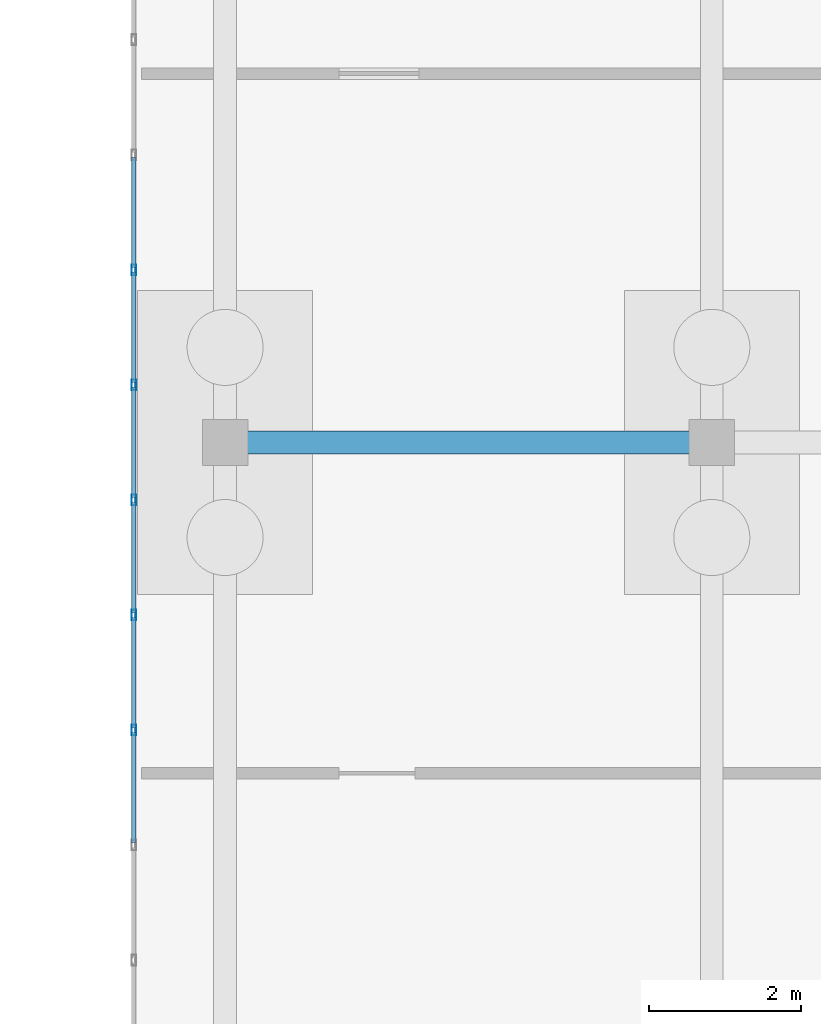
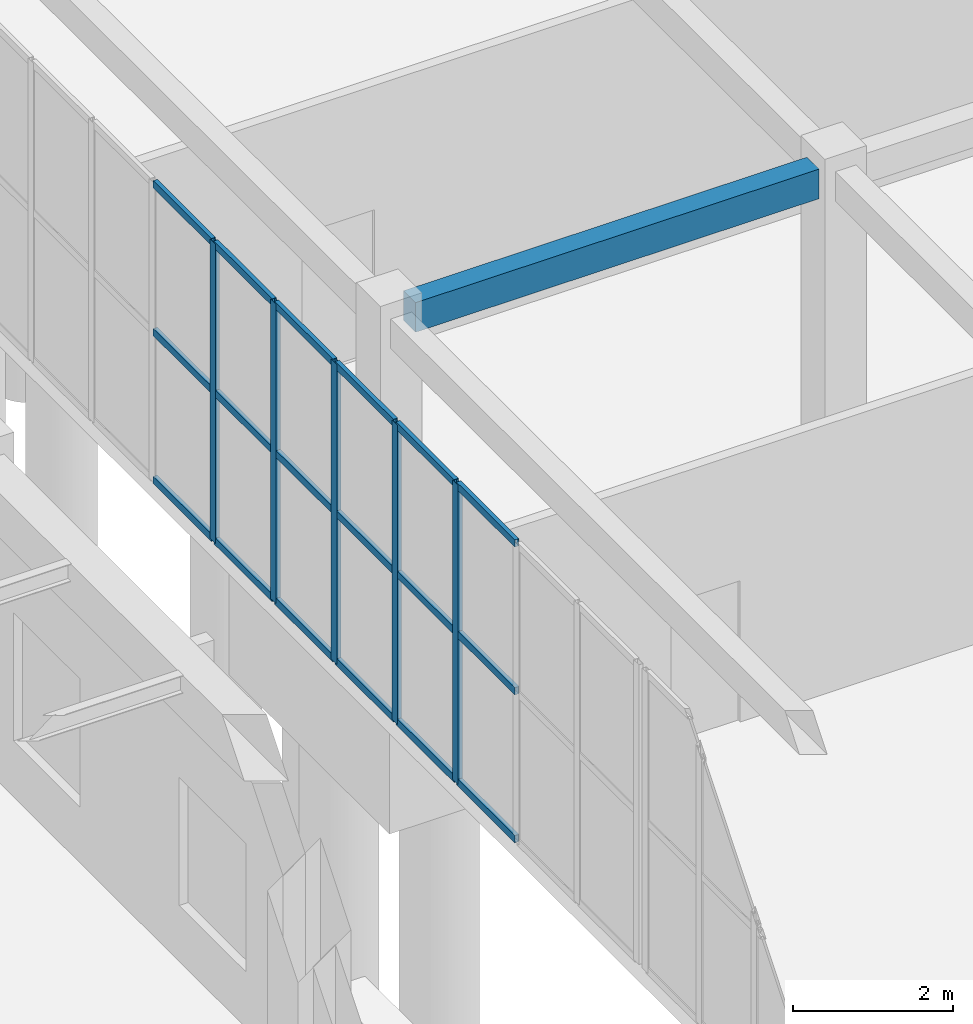
# One storey, part 56 of 192: 23 members, 1 beam, 1 element without a shape of its own.
"""IFC4 building model written with IfcOpenShell, lengths in metres."""

from ifc_helpers import new_model, si_unit, direction, frame, origin, origin_2d, place, context, subcontext, project, spatial, rectangle, hollow_rectangle, extrude, material, layer, layer_set, material_profile, profile_set, type_object, element, aggregate, save


model = new_model("IFC4")

# Units and contexts
model_context = context("Model", 3, precision=1e-05, world=origin(), true_north=direction((0.0, 1.0)))
body_context = subcontext(model_context, "Body", "Model", "MODEL_VIEW")
ifc_project = project(units=[si_unit("LENGTHUNIT", "METRE"), si_unit("AREAUNIT", "SQUARE_METRE"), si_unit("VOLUMEUNIT", "CUBIC_METRE"), si_unit("PLANEANGLEUNIT", "RADIAN"), si_unit("MASSUNIT", "GRAM", prefix="KILO")], contexts=[model_context])

# Site, building, storey
site_placement = place(None, origin())
site = spatial("IfcSite", under=ifc_project, at=site_placement, CompositionType="ELEMENT")
building_placement = place(site_placement, origin())
building = spatial("IfcBuilding", under=site, at=building_placement, Name="Trelvath General Hospital", CompositionType="ELEMENT")
storey_placement = place(building_placement, origin())
storey = spatial("IfcBuildingStorey", under=building, at=storey_placement, Name="L00", CompositionType="ELEMENT", Elevation=0.0)

# Beam
ifc_material_1 = material(Name="Concrete C35/45", Category="concrete")
ifc_material_profile_1 = material_profile(ifc_material_1, rectangle(XDim=0.300048828125, YDim=0.449951171875, at=origin_2d()), Name="RCB300x450")
ifc_profile_set_1 = profile_set([ifc_material_profile_1], Name="Concrete C35/45")
beam_type = type_object("IfcBeamType", Name="Beam RC300x450", PredefinedType="BEAM", material=ifc_profile_set_1)
beam_placement = place(storey_placement, frame((48.2958984375, 58.800048828125, 4.3349609375), z_axis=(1.0, 0.0, 0.0), x_axis=(0.0, 1.0, 0.0)))
element("IfcBeam", 1, at=beam_placement, inside=storey, type_object=beam_type, Name="Cube Interior Ring Beam CUBE-W-T0 L00", PredefinedType="BEAM", context=body_context, shape_type="SweptSolid", body=[
    extrude(rectangle(XDim=0.300048828125, YDim=0.449951171875, at=origin_2d()), origin(), (0.0, 0.0, 1.0), 5.80810546875),
])

# Curtain wall, members
ifc_material_2 = material(Name="Anodised aluminium and low-E glass", Category="aluminium")
ifc_layer = layer(ifc_material_2, 0.139892578125)
ifc_layer_set = layer_set([ifc_layer], Name="Anodised aluminium and low-E glass")
curtain_wall_type = type_object("IfcCurtainWallType", Name="CW CrystalCube 1664 456 14", PredefinedType="USERDEFINED", material=ifc_layer_set)
curtain_wall_placement = place(storey_placement, origin())
curtain_wall = element("IfcCurtainWall", 2, at=curtain_wall_placement, inside=storey, type_object=curtain_wall_type, Name="Crystal Cube Curtain Wall CUBE-W-T0 W4 L00", ObjectType="Unitised Glazed Curtain Wall", PredefinedType="USERDEFINED")
ifc_material_3 = material(Name="Anodised aluminium", Category="aluminium")
ifc_material_profile_2 = material_profile(ifc_material_3, hollow_rectangle(XDim=0.06005859375, YDim=0.139892578125, WallThickness=0.00390625, at=origin_2d()), Name="RHS60x140x4")
ifc_profile_set_2 = profile_set([ifc_material_profile_2], Name="Anodised aluminium")
member_type_1 = type_object("IfcMemberType", Name="CurtainMullion 60x140", PredefinedType="MULLION", material=ifc_profile_set_2)
member_1_placement = place(storey_placement, frame((46.800048828125, 55.01806640625, 0.0), z_axis=(0.0, 0.0, 1.0), x_axis=(-1.0, 0.0, 0.0)))
member_1 = element("IfcMember", 3, at=member_1_placement, type_object=member_type_1, Name="CW-099 mullion 4", PredefinedType="MULLION", context=body_context, shape_type="SweptSolid", body=[
    extrude(hollow_rectangle(XDim=0.06005859375, YDim=0.139892578125, WallThickness=0.00390625, at=origin_2d()), origin(), (0.0, 0.0, 1.0), 4.56005859375),
])
member_2_placement = place(storey_placement, frame((46.800048828125, 56.531005859375, 0.0), z_axis=(0.0, 0.0, 1.0), x_axis=(-1.0, 0.0, 0.0)))
member_2 = element("IfcMember", 4, at=member_2_placement, type_object=member_type_1, Name="CW-099 mullion 5", PredefinedType="MULLION", context=body_context, shape_type="SweptSolid", body=[
    extrude(hollow_rectangle(XDim=0.06005859375, YDim=0.139892578125, WallThickness=0.00390625, at=origin_2d()), origin(), (0.0, 0.0, 1.0), 4.56005859375),
])
member_3_placement = place(storey_placement, frame((46.800048828125, 58.043701171875, 0.0), z_axis=(0.0, 0.0, 1.0), x_axis=(-1.0, 0.0, 0.0)))
member_3 = element("IfcMember", 5, at=member_3_placement, type_object=member_type_1, Name="CW-099 mullion 6", PredefinedType="MULLION", context=body_context, shape_type="SweptSolid", body=[
    extrude(hollow_rectangle(XDim=0.06005859375, YDim=0.139892578125, WallThickness=0.00390625, at=origin_2d()), origin(), (0.0, 0.0, 1.0), 4.56005859375),
])
member_4_placement = place(storey_placement, frame((46.800048828125, 59.556396484375, 0.0), z_axis=(0.0, 0.0, 1.0), x_axis=(-1.0, 0.0, 0.0)))
member_4 = element("IfcMember", 6, at=member_4_placement, type_object=member_type_1, Name="CW-099 mullion 7", PredefinedType="MULLION", context=body_context, shape_type="SweptSolid", body=[
    extrude(hollow_rectangle(XDim=0.06005859375, YDim=0.139892578125, WallThickness=0.00390625, at=origin_2d()), origin(), (0.0, 0.0, 1.0), 4.56005859375),
])
member_5_placement = place(storey_placement, frame((46.800048828125, 61.069091796875, 0.0), z_axis=(0.0, 0.0, 1.0), x_axis=(-1.0, 0.0, 0.0)))
member_5 = element("IfcMember", 7, at=member_5_placement, type_object=member_type_1, Name="CW-099 mullion 8", PredefinedType="MULLION", context=body_context, shape_type="SweptSolid", body=[
    extrude(hollow_rectangle(XDim=0.06005859375, YDim=0.139892578125, WallThickness=0.00390625, at=origin_2d()), origin(), (0.0, 0.0, 1.0), 4.56005859375),
])
ifc_material_4 = material(Name="Anodised aluminium", Category="aluminium")
ifc_material_profile_3 = material_profile(ifc_material_4, hollow_rectangle(XDim=0.06005859375, YDim=0.110107421875, WallThickness=0.00390625, at=origin_2d()), Name="RHS60x110x4")
ifc_profile_set_3 = profile_set([ifc_material_profile_3], Name="Anodised aluminium")
member_type_2 = type_object("IfcMemberType", Name="CurtainTransom 60x110", PredefinedType="USERDEFINED", material=ifc_profile_set_3)
member_6_placement = place(storey_placement, frame((46.800048828125, 53.535400390625, 0.030029296875), z_axis=(0.0, 1.0, 0.0), x_axis=(-1.0, 0.0, 0.0)))
member_6 = element("IfcMember", 8, at=member_6_placement, type_object=member_type_2, Name="CW-099 transom 3.1", ObjectType="TRANSOM", PredefinedType="USERDEFINED", context=body_context, shape_type="SweptSolid", body=[
    extrude(hollow_rectangle(XDim=0.06005859375, YDim=0.110107421875, WallThickness=0.00390625, at=origin_2d()), origin(), (0.0, 0.0, 1.0), 1.452880859375),
])
member_7_placement = place(storey_placement, frame((46.800048828125, 53.535400390625, 2.280029296875), z_axis=(0.0, 1.0, 0.0), x_axis=(-1.0, 0.0, 0.0)))
member_7 = element("IfcMember", 9, at=member_7_placement, type_object=member_type_2, Name="CW-099 transom 3.2", ObjectType="TRANSOM", PredefinedType="USERDEFINED", context=body_context, shape_type="SweptSolid", body=[
    extrude(hollow_rectangle(XDim=0.06005859375, YDim=0.110107421875, WallThickness=0.00390625, at=origin_2d()), origin(), (0.0, 0.0, 1.0), 1.452880859375),
])
member_8_placement = place(storey_placement, frame((46.800048828125, 53.535400390625, 4.530029296875), z_axis=(0.0, 1.0, 0.0), x_axis=(-1.0, 0.0, 0.0)))
member_8 = element("IfcMember", 10, at=member_8_placement, type_object=member_type_2, Name="CW-099 transom 3.3", ObjectType="TRANSOM", PredefinedType="USERDEFINED", context=body_context, shape_type="SweptSolid", body=[
    extrude(hollow_rectangle(XDim=0.06005859375, YDim=0.110107421875, WallThickness=0.00390625, at=origin_2d()), origin(), (0.0, 0.0, 1.0), 1.452880859375),
])
member_9_placement = place(storey_placement, frame((46.800048828125, 55.048095703125, 0.030029296875), z_axis=(0.0, 1.0, 0.0), x_axis=(-1.0, 0.0, 0.0)))
member_9 = element("IfcMember", 11, at=member_9_placement, type_object=member_type_2, Name="CW-099 transom 4.1", ObjectType="TRANSOM", PredefinedType="USERDEFINED", context=body_context, shape_type="SweptSolid", body=[
    extrude(hollow_rectangle(XDim=0.06005859375, YDim=0.110107421875, WallThickness=0.00390625, at=origin_2d()), origin(), (0.0, 0.0, 1.0), 1.452880859375),
])
member_10_placement = place(storey_placement, frame((46.800048828125, 55.048095703125, 2.280029296875), z_axis=(0.0, 1.0, 0.0), x_axis=(-1.0, 0.0, 0.0)))
member_10 = element("IfcMember", 12, at=member_10_placement, type_object=member_type_2, Name="CW-099 transom 4.2", ObjectType="TRANSOM", PredefinedType="USERDEFINED", context=body_context, shape_type="SweptSolid", body=[
    extrude(hollow_rectangle(XDim=0.06005859375, YDim=0.110107421875, WallThickness=0.00390625, at=origin_2d()), origin(), (0.0, 0.0, 1.0), 1.452880859375),
])
member_11_placement = place(storey_placement, frame((46.800048828125, 55.048095703125, 4.530029296875), z_axis=(0.0, 1.0, 0.0), x_axis=(-1.0, 0.0, 0.0)))
member_11 = element("IfcMember", 13, at=member_11_placement, type_object=member_type_2, Name="CW-099 transom 4.3", ObjectType="TRANSOM", PredefinedType="USERDEFINED", context=body_context, shape_type="SweptSolid", body=[
    extrude(hollow_rectangle(XDim=0.06005859375, YDim=0.110107421875, WallThickness=0.00390625, at=origin_2d()), origin(), (0.0, 0.0, 1.0), 1.452880859375),
])
member_12_placement = place(storey_placement, frame((46.800048828125, 56.560791015625, 0.030029296875), z_axis=(0.0, 1.0, 0.0), x_axis=(-1.0, 0.0, 0.0)))
member_12 = element("IfcMember", 14, at=member_12_placement, type_object=member_type_2, Name="CW-099 transom 5.1", ObjectType="TRANSOM", PredefinedType="USERDEFINED", context=body_context, shape_type="SweptSolid", body=[
    extrude(hollow_rectangle(XDim=0.06005859375, YDim=0.110107421875, WallThickness=0.00390625, at=origin_2d()), origin(), (0.0, 0.0, 1.0), 1.452880859375),
])
member_13_placement = place(storey_placement, frame((46.800048828125, 56.560791015625, 2.280029296875), z_axis=(0.0, 1.0, 0.0), x_axis=(-1.0, 0.0, 0.0)))
member_13 = element("IfcMember", 15, at=member_13_placement, type_object=member_type_2, Name="CW-099 transom 5.2", ObjectType="TRANSOM", PredefinedType="USERDEFINED", context=body_context, shape_type="SweptSolid", body=[
    extrude(hollow_rectangle(XDim=0.06005859375, YDim=0.110107421875, WallThickness=0.00390625, at=origin_2d()), origin(), (0.0, 0.0, 1.0), 1.452880859375),
])
member_14_placement = place(storey_placement, frame((46.800048828125, 56.560791015625, 4.530029296875), z_axis=(0.0, 1.0, 0.0), x_axis=(-1.0, 0.0, 0.0)))
member_14 = element("IfcMember", 16, at=member_14_placement, type_object=member_type_2, Name="CW-099 transom 5.3", ObjectType="TRANSOM", PredefinedType="USERDEFINED", context=body_context, shape_type="SweptSolid", body=[
    extrude(hollow_rectangle(XDim=0.06005859375, YDim=0.110107421875, WallThickness=0.00390625, at=origin_2d()), origin(), (0.0, 0.0, 1.0), 1.452880859375),
])
member_15_placement = place(storey_placement, frame((46.800048828125, 58.07373046875, 0.030029296875), z_axis=(0.0, 1.0, 0.0), x_axis=(-1.0, 0.0, 0.0)))
member_15 = element("IfcMember", 17, at=member_15_placement, type_object=member_type_2, Name="CW-099 transom 6.1", ObjectType="TRANSOM", PredefinedType="USERDEFINED", context=body_context, shape_type="SweptSolid", body=[
    extrude(hollow_rectangle(XDim=0.06005859375, YDim=0.110107421875, WallThickness=0.00390625, at=origin_2d()), origin(), (0.0, 0.0, 1.0), 1.45263671875),
])
member_16_placement = place(storey_placement, frame((46.800048828125, 58.07373046875, 2.280029296875), z_axis=(0.0, 1.0, 0.0), x_axis=(-1.0, 0.0, 0.0)))
member_16 = element("IfcMember", 18, at=member_16_placement, type_object=member_type_2, Name="CW-099 transom 6.2", ObjectType="TRANSOM", PredefinedType="USERDEFINED", context=body_context, shape_type="SweptSolid", body=[
    extrude(hollow_rectangle(XDim=0.06005859375, YDim=0.110107421875, WallThickness=0.00390625, at=origin_2d()), origin(), (0.0, 0.0, 1.0), 1.45263671875),
])
member_17_placement = place(storey_placement, frame((46.800048828125, 58.07373046875, 4.530029296875), z_axis=(0.0, 1.0, 0.0), x_axis=(-1.0, 0.0, 0.0)))
member_17 = element("IfcMember", 19, at=member_17_placement, type_object=member_type_2, Name="CW-099 transom 6.3", ObjectType="TRANSOM", PredefinedType="USERDEFINED", context=body_context, shape_type="SweptSolid", body=[
    extrude(hollow_rectangle(XDim=0.06005859375, YDim=0.110107421875, WallThickness=0.00390625, at=origin_2d()), origin(), (0.0, 0.0, 1.0), 1.45263671875),
])
member_18_placement = place(storey_placement, frame((46.800048828125, 59.58642578125, 0.030029296875), z_axis=(0.0, 1.0, 0.0), x_axis=(-1.0, 0.0, 0.0)))
member_18 = element("IfcMember", 20, at=member_18_placement, type_object=member_type_2, Name="CW-099 transom 7.1", ObjectType="TRANSOM", PredefinedType="USERDEFINED", context=body_context, shape_type="SweptSolid", body=[
    extrude(hollow_rectangle(XDim=0.06005859375, YDim=0.110107421875, WallThickness=0.00390625, at=origin_2d()), origin(), (0.0, 0.0, 1.0), 1.45263671875),
])
member_19_placement = place(storey_placement, frame((46.800048828125, 59.58642578125, 2.280029296875), z_axis=(0.0, 1.0, 0.0), x_axis=(-1.0, 0.0, 0.0)))
member_19 = element("IfcMember", 21, at=member_19_placement, type_object=member_type_2, Name="CW-099 transom 7.2", ObjectType="TRANSOM", PredefinedType="USERDEFINED", context=body_context, shape_type="SweptSolid", body=[
    extrude(hollow_rectangle(XDim=0.06005859375, YDim=0.110107421875, WallThickness=0.00390625, at=origin_2d()), origin(), (0.0, 0.0, 1.0), 1.45263671875),
])
member_20_placement = place(storey_placement, frame((46.800048828125, 59.58642578125, 4.530029296875), z_axis=(0.0, 1.0, 0.0), x_axis=(-1.0, 0.0, 0.0)))
member_20 = element("IfcMember", 22, at=member_20_placement, type_object=member_type_2, Name="CW-099 transom 7.3", ObjectType="TRANSOM", PredefinedType="USERDEFINED", context=body_context, shape_type="SweptSolid", body=[
    extrude(hollow_rectangle(XDim=0.06005859375, YDim=0.110107421875, WallThickness=0.00390625, at=origin_2d()), origin(), (0.0, 0.0, 1.0), 1.45263671875),
])
member_21_placement = place(storey_placement, frame((46.800048828125, 61.09912109375, 0.030029296875), z_axis=(0.0, 1.0, 0.0), x_axis=(-1.0, 0.0, 0.0)))
member_21 = element("IfcMember", 23, at=member_21_placement, type_object=member_type_2, Name="CW-099 transom 8.1", ObjectType="TRANSOM", PredefinedType="USERDEFINED", context=body_context, shape_type="SweptSolid", body=[
    extrude(hollow_rectangle(XDim=0.06005859375, YDim=0.110107421875, WallThickness=0.00390625, at=origin_2d()), origin(), (0.0, 0.0, 1.0), 1.45263671875),
])
member_22_placement = place(storey_placement, frame((46.800048828125, 61.09912109375, 2.280029296875), z_axis=(0.0, 1.0, 0.0), x_axis=(-1.0, 0.0, 0.0)))
member_22 = element("IfcMember", 24, at=member_22_placement, type_object=member_type_2, Name="CW-099 transom 8.2", ObjectType="TRANSOM", PredefinedType="USERDEFINED", context=body_context, shape_type="SweptSolid", body=[
    extrude(hollow_rectangle(XDim=0.06005859375, YDim=0.110107421875, WallThickness=0.00390625, at=origin_2d()), origin(), (0.0, 0.0, 1.0), 1.45263671875),
])
member_23_placement = place(storey_placement, frame((46.800048828125, 61.09912109375, 4.530029296875), z_axis=(0.0, 1.0, 0.0), x_axis=(-1.0, 0.0, 0.0)))
member_23 = element("IfcMember", 25, at=member_23_placement, type_object=member_type_2, Name="CW-099 transom 8.3", ObjectType="TRANSOM", PredefinedType="USERDEFINED", context=body_context, shape_type="SweptSolid", body=[
    extrude(hollow_rectangle(XDim=0.06005859375, YDim=0.110107421875, WallThickness=0.00390625, at=origin_2d()), origin(), (0.0, 0.0, 1.0), 1.45263671875),
])
aggregate(curtain_wall, [member_1, member_2, member_3, member_4, member_5, member_6, member_7, member_8, member_9, member_10, member_11, member_12, member_13, member_14, member_15, member_16, member_17, member_18, member_19, member_20, member_21, member_22, member_23])

save(model, "model.ifc")
